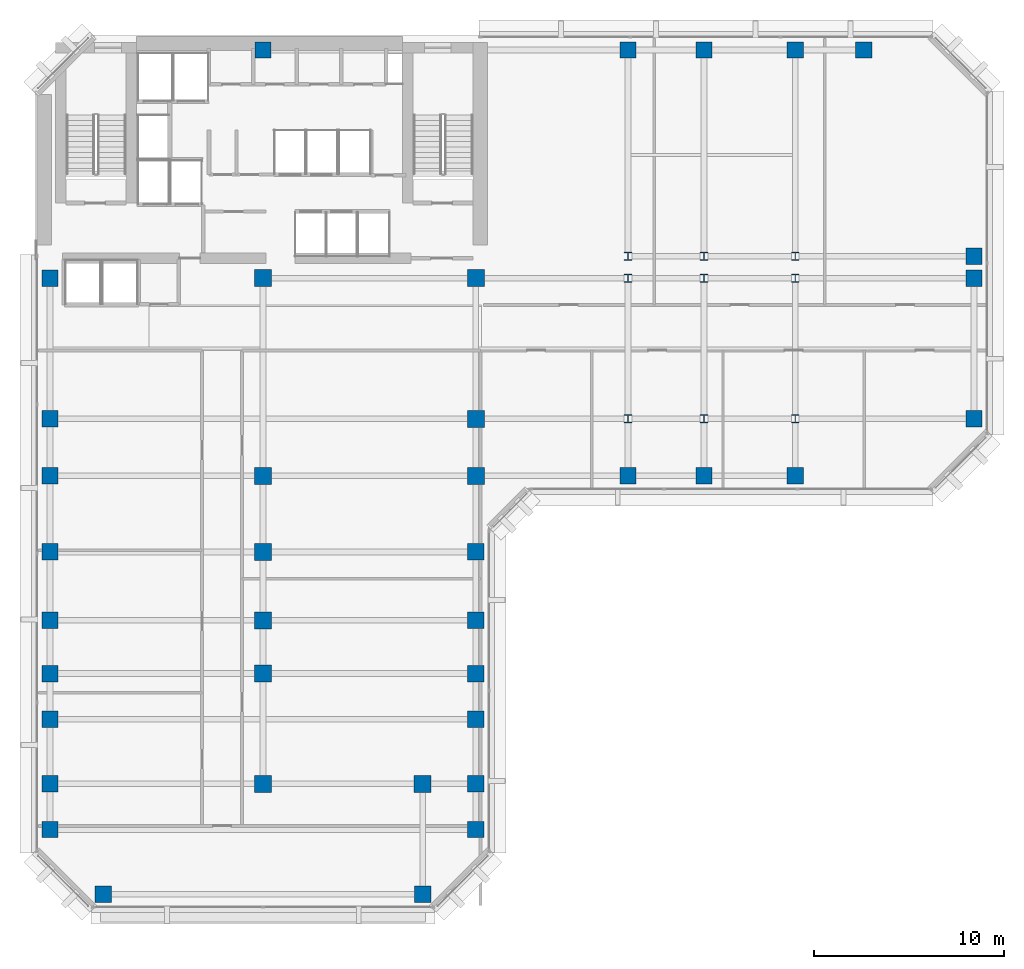
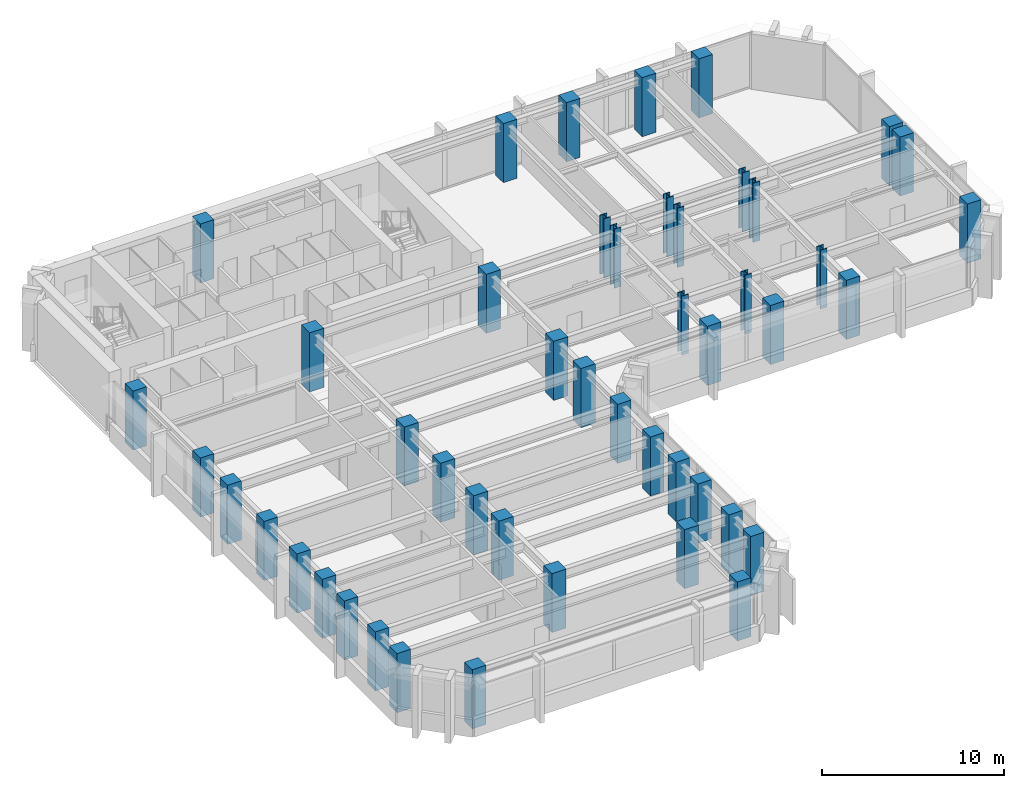
# One storey, part 1 of 11: 47 columns.
"""IFC4 building model written with IfcOpenShell, lengths in metres."""

from ifc_helpers import new_model, si_unit, direction, frame, origin, origin_2d, place, context, subcontext, project, spatial, rectangle, i_section, extrude, material, material_profile, profile_set, type_object, element, save


model = new_model("IFC4")

# Units and contexts
model_context = context("Model", 3, precision=1e-05, world=origin(), true_north=direction((0.0, 1.0)))
body_context = subcontext(model_context, "Body", "Model", "MODEL_VIEW")
ifc_project = project(units=[si_unit("LENGTHUNIT", "METRE"), si_unit("AREAUNIT", "SQUARE_METRE"), si_unit("VOLUMEUNIT", "CUBIC_METRE"), si_unit("PLANEANGLEUNIT", "RADIAN"), si_unit("MASSUNIT", "GRAM", prefix="KILO")], contexts=[model_context])

# Site, building, storey
site_placement = place(None, origin())
site = spatial("IfcSite", under=ifc_project, at=site_placement, CompositionType="ELEMENT")
building_placement = place(site_placement, origin())
building = spatial("IfcBuilding", under=site, at=building_placement, Name="Kefirva Bronze Tower", CompositionType="ELEMENT")
storey_placement = place(building_placement, frame((0.0, 0.0, 158.72998046875)))
storey = spatial("IfcBuildingStorey", under=building, at=storey_placement, Name="L38", CompositionType="ELEMENT", Elevation=158.72998046875)

# Columns
ifc_material_1 = material(Name="Concrete C60/75", Category="concrete")
ifc_material_profile_1 = material_profile(ifc_material_1, rectangle(XDim=0.860107421875, YDim=0.860107421875, at=origin_2d()), Name="RC 860x860")
ifc_profile_set_1 = profile_set([ifc_material_profile_1], Name="Concrete C60/75")
column_type_1 = type_object("IfcColumnType", Name="RC Column 860x860 Ext", PredefinedType="COLUMN", material=ifc_profile_set_1)
for number, where, z_axis, x_axis, name in (
    (1, (0.800048828125, 4.199951171875, 0.0), (0.0, 0.0, 1.0), (1.0, 0.0, 0.0), "L38 Column C008_042"),
    (2, (0.800048828125, 6.60009765625, 0.0), (0.0, 0.0, 1.0), (1.0, 0.0, 0.0), "L38 Column C008_066"),
    (3, (0.800048828125, 10.0, 0.0), (0.0, 0.0, 1.0), (1.0, 0.0, 0.0), "L38 Column C008_100"),
    (4, (0.800048828125, 12.39990234375, 0.0), (0.0, 0.0, 1.0), (1.0, 0.0, 0.0), "L38 Column C008_124"),
    (5, (0.800048828125, 15.199951171875, 0.0), (0.0, 0.0, 1.0), (1.0, 0.0, 0.0), "L38 Column C008_152"),
    (6, (0.800048828125, 18.800048828125, 0.0), (0.0, 0.0, 1.0), (1.0, 0.0, 0.0), "L38 Column C008_188"),
    (7, (0.800048828125, 22.800048828125, 0.0), (0.0, 0.0, 1.0), (1.0, 0.0, 0.0), "L38 Column C008_228"),
    (8, (0.800048828125, 25.800048828125, 0.0), (0.0, 0.0, 1.0), (1.0, 0.0, 0.0), "L38 Column C008_258"),
    (9, (0.800048828125, 33.199951171875, 0.0), (0.0, 0.0, 1.0), (1.0, 0.0, 0.0), "L38 Column C008_332"),
    (10, (3.60009765625, 0.800048828125, 0.0), (0.0, 0.0, 1.0), (1.0, 0.0, 0.0), "L38 Column C036_008"),
    (11, (12.0, 45.199951171875, 0.0), (0.0, 0.0, 1.0), (1.0, 0.0, 0.0), "L38 Column C120_452"),
    (12, (20.39990234375, 0.800048828125, 0.0), (0.0, 0.0, 1.0), (1.0, 0.0, 0.0), "L38 Column C204_008"),
    (13, (23.199951171875, 4.199951171875, 0.0), (0.0, 0.0, 1.0), (1.0, 0.0, 0.0), "L38 Column C232_042"),
    (14, (23.199951171875, 6.60009765625, 0.0), (0.0, 0.0, 1.0), (1.0, 0.0, 0.0), "L38 Column C232_066"),
    (15, (23.199951171875, 10.0, 0.0), (0.0, 0.0, 1.0), (1.0, 0.0, 0.0), "L38 Column C232_100"),
    (16, (23.199951171875, 12.39990234375, 0.0), (0.0, 0.0, 1.0), (1.0, 0.0, 0.0), "L38 Column C232_124"),
    (17, (23.199951171875, 15.199951171875, 0.0), (0.0, 0.0, 1.0), (1.0, 0.0, 0.0), "L38 Column C232_152"),
    (18, (23.199951171875, 18.800048828125, 0.0), (0.0, 0.0, 1.0), (1.0, 0.0, 0.0), "L38 Column C232_188"),
    (19, (31.199951171875, 22.800048828125, 0.0), (0.0, 0.0, 1.0), (1.0, 0.0, 0.0), "L38 Column C312_228"),
    (20, (31.199951171875, 45.199951171875, 0.0), (0.0, 0.0, 1.0), (1.0, 0.0, 0.0), "L38 Column C312_452"),
    (21, (35.199951171875, 22.800048828125, 0.0), (0.0, 0.0, 1.0), (1.0, 0.0, 0.0), "L38 Column C352_228"),
    (22, (35.199951171875, 45.199951171875, 0.0), (0.0, 0.0, 1.0), (1.0, 0.0, 0.0), "L38 Column C352_452"),
    (23, (40.0, 22.800048828125, 0.0), (0.0, 0.0, 1.0), (1.0, 0.0, 0.0), "L38 Column C400_228"),
    (24, (40.0, 45.199951171875, 0.0), (0.0, 0.0, 1.0), (1.0, 0.0, 0.0), "L38 Column C400_452"),
    (25, (43.60009765625, 45.199951171875, 0.0), (0.0, 0.0, 1.0), (1.0, 0.0, 0.0), "L38 Column C436_452"),
    (26, (49.39990234375, 25.800048828125, 0.0), (0.0, 0.0, 1.0), (1.0, 0.0, 0.0), "L38 Column C494_258"),
    (27, (49.39990234375, 33.199951171875, 0.0), (0.0, 0.0, 1.0), (1.0, 0.0, 0.0), "L38 Column C494_332"),
    (28, (49.39990234375, 34.35009765625, 0.0), (0.0, 0.0, 1.0), (1.0, 0.0, 0.0), "L38 Column C494_344"),
):
    element("IfcColumn", number, at=place(storey_placement, frame(where, z_axis=z_axis, x_axis=x_axis)), inside=storey, type_object=column_type_1, Name=name, PredefinedType="COLUMN", context=body_context, shape_type="SweptSolid", body=[
        extrude(rectangle(XDim=0.860107421875, YDim=0.860107421875, at=origin_2d()), origin(), (0.0, 0.0, 1.0), 3.9599609375),
    ])
ifc_material_profile_2 = material_profile(ifc_material_1, rectangle(XDim=0.89990234375, YDim=0.89990234375, at=origin_2d()), Name="RC 900x900")
ifc_profile_set_2 = profile_set([ifc_material_profile_2], Name="Concrete C60/75")
column_type_2 = type_object("IfcColumnType", Name="RC Column 900x900 Int", PredefinedType="COLUMN", material=ifc_profile_set_2)
for number, where, z_axis, x_axis, name in (
    (29, (12.0, 6.60009765625, 0.0), (0.0, 0.0, 1.0), (1.0, 0.0, 0.0), "L38 Column C120_066"),
    (30, (12.0, 12.39990234375, 0.0), (0.0, 0.0, 1.0), (1.0, 0.0, 0.0), "L38 Column C120_124"),
    (31, (12.0, 15.199951171875, 0.0), (0.0, 0.0, 1.0), (1.0, 0.0, 0.0), "L38 Column C120_152"),
    (32, (12.0, 18.800048828125, 0.0), (0.0, 0.0, 1.0), (1.0, 0.0, 0.0), "L38 Column C120_188"),
    (33, (12.0, 22.800048828125, 0.0), (0.0, 0.0, 1.0), (1.0, 0.0, 0.0), "L38 Column C120_228"),
    (34, (12.0, 33.199951171875, 0.0), (0.0, 0.0, 1.0), (1.0, 0.0, 0.0), "L38 Column C120_332"),
    (35, (20.39990234375, 6.60009765625, 0.0), (0.0, 0.0, 1.0), (1.0, 0.0, 0.0), "L38 Column C204_066"),
    (36, (23.199951171875, 22.800048828125, 0.0), (0.0, 0.0, 1.0), (1.0, 0.0, 0.0), "L38 Column C232_228"),
    (37, (23.199951171875, 25.800048828125, 0.0), (0.0, 0.0, 1.0), (1.0, 0.0, 0.0), "L38 Column C232_258"),
    (38, (23.199951171875, 33.199951171875, 0.0), (0.0, 0.0, 1.0), (1.0, 0.0, 0.0), "L38 Column C232_332"),
):
    element("IfcColumn", number, at=place(storey_placement, frame(where, z_axis=z_axis, x_axis=x_axis)), inside=storey, type_object=column_type_2, Name=name, PredefinedType="COLUMN", context=body_context, shape_type="SweptSolid", body=[
        extrude(rectangle(XDim=0.89990234375, YDim=0.89990234375, at=origin_2d()), origin(), (0.0, 0.0, 1.0), 3.9599609375),
    ])
ifc_material_2 = material(Name="Steel S460", Category="steel")
ifc_material_profile_3 = material_profile(ifc_material_2, i_section(OverallWidth=0.41796875, OverallDepth=0.455078125, WebThickness=0.031982421875, FlangeThickness=0.051025390625, at=origin_2d()), Name="HD 400x551")
ifc_profile_set_3 = profile_set([ifc_material_profile_3], Name="Steel S460")
column_type_3 = type_object("IfcColumnType", Name="Steel Column HD 400x551", PredefinedType="COLUMN", material=ifc_profile_set_3)
for number, where, z_axis, x_axis, name in (
    (39, (31.199951171875, 25.800048828125, 0.0), (0.0, 0.0, 1.0), (1.0, 0.0, 0.0), "L38 Column C312_258"),
    (40, (31.199951171875, 33.199951171875, 0.0), (0.0, 0.0, 1.0), (1.0, 0.0, 0.0), "L38 Column C312_332"),
    (41, (31.199951171875, 34.35009765625, 0.0), (0.0, 0.0, 1.0), (1.0, 0.0, 0.0), "L38 Column C312_344"),
    (42, (35.199951171875, 25.800048828125, 0.0), (0.0, 0.0, 1.0), (1.0, 0.0, 0.0), "L38 Column C352_258"),
    (43, (35.199951171875, 33.199951171875, 0.0), (0.0, 0.0, 1.0), (1.0, 0.0, 0.0), "L38 Column C352_332"),
    (44, (35.199951171875, 34.35009765625, 0.0), (0.0, 0.0, 1.0), (1.0, 0.0, 0.0), "L38 Column C352_344"),
    (45, (40.0, 25.800048828125, 0.0), (0.0, 0.0, 1.0), (1.0, 0.0, 0.0), "L38 Column C400_258"),
    (46, (40.0, 33.199951171875, 0.0), (0.0, 0.0, 1.0), (1.0, 0.0, 0.0), "L38 Column C400_332"),
    (47, (40.0, 34.35009765625, 0.0), (0.0, 0.0, 1.0), (1.0, 0.0, 0.0), "L38 Column C400_344"),
):
    element("IfcColumn", number, at=place(storey_placement, frame(where, z_axis=z_axis, x_axis=x_axis)), inside=storey, type_object=column_type_3, Name=name, PredefinedType="COLUMN", context=body_context, shape_type="SweptSolid", body=[
        extrude(i_section(OverallWidth=0.41796875, OverallDepth=0.455078125, WebThickness=0.031982421875, FlangeThickness=0.051025390625, at=origin_2d()), origin(), (0.0, 0.0, 1.0), 3.9599609375),
    ])

save(model, "model.ifc")
